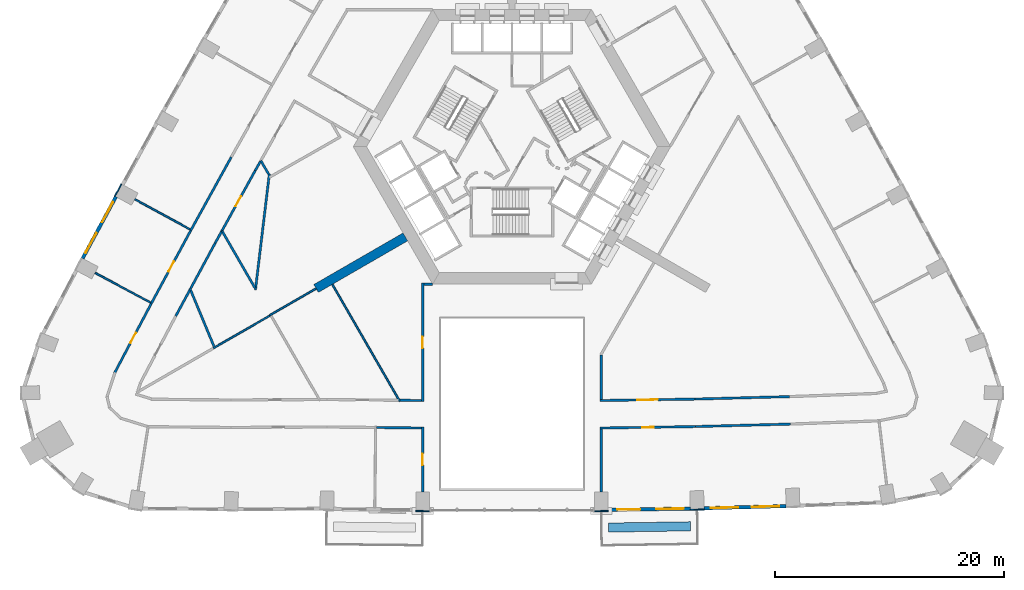
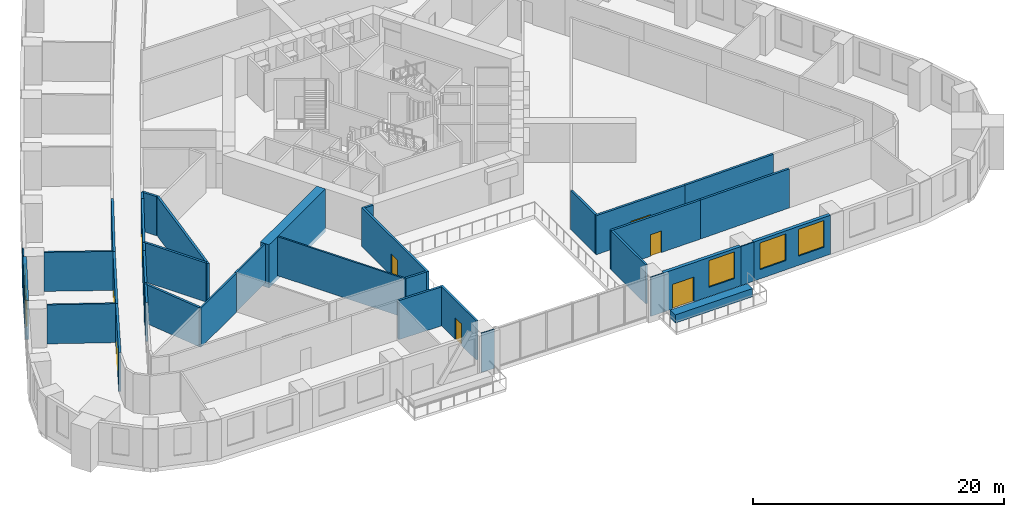
# One storey, part 5 of 14: 37 walls, 8 doors, 5 windows, 13 openings.
"""IFC4 building model written with IfcOpenShell, lengths in metres."""

from ifc_helpers import new_model, si_unit, direction, frame, frame_2d, origin, place, context, subcontext, project, spatial, rectangle, extrude, material, layer, layer_set, type_object, element, fill, save


model = new_model("IFC4")

# Units and contexts
model_context = context("Model", 3, precision=1e-05, world=origin(), true_north=direction((0.0, 1.0)))
body_context = subcontext(model_context, "Body", "Model", "MODEL_VIEW")
ifc_project = project(units=[si_unit("LENGTHUNIT", "METRE"), si_unit("AREAUNIT", "SQUARE_METRE"), si_unit("VOLUMEUNIT", "CUBIC_METRE"), si_unit("PLANEANGLEUNIT", "RADIAN"), si_unit("MASSUNIT", "GRAM", prefix="KILO")], contexts=[model_context])

# Site, building, storey
site_placement = place(None, origin())
site = spatial("IfcSite", under=ifc_project, at=site_placement, CompositionType="ELEMENT")
building_placement = place(site_placement, origin())
building = spatial("IfcBuilding", under=site, at=building_placement, Name="Entoto Arch Interchange Tower", CompositionType="ELEMENT")
storey_placement = place(building_placement, frame((0.0, 0.0, 64.39990234375)))
storey = spatial("IfcBuildingStorey", under=building, at=storey_placement, Name="L13", CompositionType="ELEMENT", Elevation=64.39990234375)

# Walls
ifc_material_1 = material(Name="Concrete C60/75", Category="concrete")
ifc_layer_1 = layer(ifc_material_1, 0.800048828125)
ifc_layer_set_1 = layer_set([ifc_layer_1], Name="Concrete C60/75")
wall_type_1 = type_object("IfcWallType", Name="Buttress wall 800 C60/75", PredefinedType="SHEAR", material=ifc_layer_set_1)
wall_1_placement = place(storey_placement, frame((-9.31005859375, -5.375, -0.39990234375), z_axis=(0.0, 0.0, 1.0), x_axis=(-0.866017533419, -0.500013631625, 0.0)))
element("IfcWall", 1, at=wall_1_placement, inside=storey, type_object=wall_type_1, Name="Buttress wall SW L13", PredefinedType="SHEAR", context=body_context, shape_type="SweptSolid", body=[
    extrude(rectangle(XDim=8.999755859375, YDim=0.800048828125, at=frame_2d((4.5, 0.0))), origin(), (0.0, 0.0, 1.0), 4.199951171875),
])
ifc_material_2 = material(Name="Gypsum board partition on steel studs", Category="steel")
ifc_layer_2 = layer(ifc_material_2, 0.14990234375)
ifc_layer_set_2 = layer_set([ifc_layer_2], Name="Gypsum board partition on steel studs")
wall_type_2 = type_object("IfcWallType", Name="PARTITION 150", PredefinedType="PARTITIONING", material=ifc_layer_set_2)
wall_2_placement = place(storey_placement, frame((-9.801025390625, -19.72412109375, 0.0), z_axis=(0.0, 0.0, 1.0), x_axis=(-0.500005867738, 0.866022016018, 0.0)))
element("IfcWall", 2, at=wall_2_placement, inside=storey, type_object=wall_type_2, Name="wall:L13:p128", PredefinedType="PARTITIONING", context=body_context, shape_type="SweptSolid", body=[
    extrude(rectangle(XDim=11.781494140625, YDim=0.14990234375, at=frame_2d((5.890625, 0.0))), origin(), (0.0, 0.0, 1.0), 3.800048828125),
])
wall_3_placement = place(storey_placement, frame((-17.10302734375, -9.8779296875, 0.0), z_axis=(0.0, 0.0, 1.0), x_axis=(-0.866013358989, -0.500020861617, 0.0)))
element("IfcWall", 3, at=wall_3_placement, inside=storey, type_object=wall_type_2, Name="wall:L13:p129", PredefinedType="PARTITIONING", context=body_context, shape_type="SweptSolid", body=[
    extrude(rectangle(XDim=4.674072265625, YDim=0.14990234375, at=frame_2d((2.3369140625, 0.0))), origin(), (0.0, 0.0, 1.0), 3.800048828125),
])
wall_4_placement = place(storey_placement, frame((-21.135009765625, -12.242919921875, 0.0), z_axis=(0.0, 0.0, 1.0), x_axis=(-0.866083439347, -0.499899465982, 0.0)))
element("IfcWall", 4, at=wall_4_placement, inside=storey, type_object=wall_type_2, Name="wall:L13:p131", PredefinedType="PARTITIONING", context=body_context, shape_type="SweptSolid", body=[
    extrude(rectangle(XDim=5.691162109375, YDim=0.14990234375, at=frame_2d((2.845703125, 0.0))), origin(), (0.0, 0.0, 1.0), 3.800048828125),
])
wall_5_placement = place(storey_placement, frame((-28.111083984375, -4.717041015625, 0.0), z_axis=(0.0, 0.0, 1.0), x_axis=(-0.877558297547, 0.479469951515, 0.0)))
element("IfcWall", 5, at=wall_5_placement, inside=storey, type_object=wall_type_2, Name="wall:L13:p147", PredefinedType="PARTITIONING", context=body_context, shape_type="SweptSolid", body=[
    extrude(rectangle(XDim=5.48095703125, YDim=0.14990234375, at=frame_2d((2.740478515625, 0.0))), origin(), (0.0, 0.0, 1.0), 3.800048828125),
])
wall_6_placement = place(storey_placement, frame((-31.56103515625, -11.10302734375, 0.0), z_axis=(0.0, 0.0, 1.0), x_axis=(-0.882056805494, 0.47114306944, 0.0)))
element("IfcWall", 6, at=wall_6_placement, inside=storey, type_object=wall_type_2, Name="wall:L13:p148", PredefinedType="PARTITIONING", context=body_context, shape_type="SweptSolid", body=[
    extrude(rectangle(XDim=5.48046875, YDim=0.14990234375, at=frame_2d((2.740234375, 0.0))), origin(), (0.0, 0.0, 1.0), 3.800048828125),
])

# Wall, opening, door
ifc_layer_3 = layer(ifc_material_2, 0.199951171875)
ifc_layer_set_3 = layer_set([ifc_layer_3], Name="Gypsum board partition on steel studs")
wall_type_3 = type_object("IfcWallType", Name="PARTITION 200", PredefinedType="PARTITIONING", material=ifc_layer_set_3)
wall_7_placement = place(storey_placement, frame((7.699951171875, -19.660888671875, 0.0), z_axis=(0.0, 0.0, 1.0), x_axis=(0.999882138464, 0.015352823245, 0.0)))
wall_7 = element("IfcWall", 7, at=wall_7_placement, inside=storey, type_object=wall_type_3, Name="wall:L13:p018", PredefinedType="PARTITIONING", context=body_context, shape_type="SweptSolid", body=[
    extrude(rectangle(XDim=8.26904296875, YDim=0.199951171875, at=frame_2d((4.134521484375, 0.0))), origin(), (0.0, 0.0, 1.0), 3.800048828125),
])
opening_1_placement = place(wall_7_placement, frame((3.235107421875, 0.0, 0.0)))
opening_1 = element("IfcOpeningElement", 8, at=opening_1_placement, cuts=wall_7, Name="Opening L13-D19", PredefinedType="OPENING", context=body_context, shape_type="SweptSolid", body=[
    extrude(rectangle(XDim=1.800048828125, YDim=2.10009765625, at=frame_2d((0.89990234375, 1.050048828125))), frame((0.0, 0.10986328125, 0.0), z_axis=(0.0, -1.0, 0.0), x_axis=(1.0, 0.0, 0.0)), (0.0, 0.0, 1.0), 0.219970703125),
])
ifc_material_3 = material(Name="Timber door leaf in Steel S235 frame", Category="steel")
door_type_1 = type_object("IfcDoorType", Name="DOOR DD-18 1800x2100", OperationType="DOUBLE_DOOR_SINGLE_SWING", PredefinedType="DOOR", material=ifc_material_3)
door_1_placement = place(opening_1_placement, origin())
door_1 = element("IfcDoor", 9, at=door_1_placement, inside=storey, type_object=door_type_1, Name="door:L13:19", OperationType="DOUBLE_DOOR_SINGLE_SWING", OverallHeight=2.10009765625, OverallWidth=1.800048828125, PredefinedType="DOOR", context=body_context, shape_type="SweptSolid", body=[
    extrude(rectangle(XDim=1.800048828125, YDim=2.10009765625, at=frame_2d((0.89990234375, 1.050048828125))), frame((0.0, 0.02490234375, 0.0), z_axis=(0.0, -1.0, 0.0), x_axis=(1.0, 0.0, 0.0)), (0.0, 0.0, 1.0), 0.050048828125),
])
fill(opening_1, door_1)

# Walls
wall_8_placement = place(storey_placement, frame((15.968017578125, -19.533935546875, 0.0), z_axis=(0.0, 0.0, 1.0), x_axis=(0.999659413518, 0.026097068146, 0.0)))
element("IfcWall", 10, at=wall_8_placement, inside=storey, type_object=wall_type_3, Name="wall:L13:p019", PredefinedType="PARTITIONING", context=body_context, shape_type="SweptSolid", body=[
    extrude(rectangle(XDim=8.27001953125, YDim=0.199951171875, at=frame_2d((4.135009765625, 0.0))), origin(), (0.0, 0.0, 1.0), 3.800048828125),
])
wall_9_placement = place(storey_placement, frame((-25.37109375, -4.927001953125, 0.0), z_axis=(0.0, 0.0, 1.0), x_axis=(-0.483899488004, -0.875123582993, 0.0)))
element("IfcWall", 11, at=wall_9_placement, inside=storey, type_object=wall_type_3, Name="wall:L13:p030", PredefinedType="PARTITIONING", context=body_context, shape_type="SweptSolid", body=[
    extrude(rectangle(XDim=1.130126953125, YDim=0.199951171875, at=frame_2d((0.56494140625, 0.0))), origin(), (0.0, 0.0, 1.0), 3.800048828125),
])
wall_10_placement = place(storey_placement, frame((-25.91796875, -5.916015625, 0.0), z_axis=(0.0, 0.0, 1.0), x_axis=(-0.4752384902, -0.879857021016, 0.0)))
element("IfcWall", 12, at=wall_10_placement, inside=storey, type_object=wall_type_3, Name="wall:L13:p031", PredefinedType="PARTITIONING", context=body_context, shape_type="SweptSolid", body=[
    extrude(rectangle(XDim=4.473388671875, YDim=0.199951171875, at=frame_2d((2.23681640625, 0.0))), origin(), (0.0, 0.0, 1.0), 3.800048828125),
])
wall_11_placement = place(storey_placement, frame((-9.77587890625, -19.637939453125, 0.0), z_axis=(0.0, 0.0, 1.0), x_axis=(0.999937374473, -0.011191386544, 0.0)))
element("IfcWall", 13, at=wall_11_placement, inside=storey, type_object=wall_type_3, Name="wall:L13:p032", PredefinedType="PARTITIONING", context=body_context, shape_type="SweptSolid", body=[
    extrude(rectangle(XDim=1.8759765625, YDim=0.199951171875, at=frame_2d((0.93798828125, 0.0))), origin(), (0.0, 0.0, 1.0), 3.800048828125),
])
wall_12_placement = place(storey_placement, frame((-21.97900390625, 1.196044921875, 0.0), z_axis=(0.0, 0.0, 1.0), x_axis=(-0.491617674369, -0.870811151886, 0.0)))
element("IfcWall", 14, at=wall_12_placement, inside=storey, type_object=wall_type_3, Name="wall:L13:p033", PredefinedType="PARTITIONING", context=body_context, shape_type="SweptSolid", body=[
    extrude(rectangle(XDim=0.89697265625, YDim=0.199951171875, at=frame_2d((0.448486328125, 0.0))), origin(), (0.0, 0.0, 1.0), 3.800048828125),
])

# Wall, opening, door
wall_13_placement = place(storey_placement, frame((-22.419921875, 0.4150390625, 0.0), z_axis=(0.0, 0.0, 1.0), x_axis=(-0.483559496818, -0.875311494861, 0.0)))
wall_13 = element("IfcWall", 15, at=wall_13_placement, inside=storey, type_object=wall_type_3, Name="wall:L13:p034", PredefinedType="PARTITIONING", context=body_context, shape_type="SweptSolid", body=[
    extrude(rectangle(XDim=6.10302734375, YDim=0.199951171875, at=frame_2d((3.051513671875, 0.0))), origin(), (0.0, 0.0, 1.0), 3.800048828125),
])
opening_2_placement = place(wall_13_placement, frame((2.552001953125, 0.0, 0.0)))
opening_2 = element("IfcOpeningElement", 16, at=opening_2_placement, cuts=wall_13, Name="Opening L13-D23", PredefinedType="OPENING", context=body_context, shape_type="SweptSolid", body=[
    extrude(rectangle(XDim=1.0, YDim=2.10009765625, at=frame_2d((0.5, 1.050048828125))), frame((0.0, 0.10986328125, 0.0), z_axis=(0.0, -1.0, 0.0), x_axis=(1.0, 0.0, 0.0)), (0.0, 0.0, 1.0), 0.219970703125),
])
door_type_2 = type_object("IfcDoorType", Name="DOOR DS-10 1000x2100", OperationType="SINGLE_SWING_LEFT", PredefinedType="DOOR", material=ifc_material_3)
door_2_placement = place(opening_2_placement, origin())
door_2 = element("IfcDoor", 17, at=door_2_placement, inside=storey, type_object=door_type_2, Name="door:L13:23", OperationType="SINGLE_SWING_LEFT", OverallHeight=2.10009765625, OverallWidth=1.0, PredefinedType="DOOR", context=body_context, shape_type="SweptSolid", body=[
    extrude(rectangle(XDim=1.0, YDim=2.10009765625, at=frame_2d((0.5, 1.050048828125))), frame((0.0, 0.02490234375, 0.0), z_axis=(0.0, -1.0, 0.0), x_axis=(1.0, 0.0, 0.0)), (0.0, 0.0, 1.0), 0.050048828125),
])
fill(opening_2, door_2)

# Walls
wall_14_placement = place(storey_placement, frame((-28.138916015625, -10.028076171875, 0.0), z_axis=(0.0, 0.0, 1.0), x_axis=(-0.475287687013, -0.879830446491, 0.0)))
element("IfcWall", 18, at=wall_14_placement, inside=storey, type_object=wall_type_3, Name="wall:L13:p037", PredefinedType="PARTITIONING", context=body_context, shape_type="SweptSolid", body=[
    extrude(rectangle(XDim=2.560546875, YDim=0.199951171875, at=frame_2d((1.2802734375, 0.0))), origin(), (0.0, 0.0, 1.0), 3.800048828125),
])
wall_15_placement = place(storey_placement, frame((24.31005859375, -21.716064453125, 0.0), z_axis=(0.0, 0.0, 1.0), x_axis=(-0.999657616542, -0.02616581148, 0.0)))
element("IfcWall", 19, at=wall_15_placement, inside=storey, type_object=wall_type_3, Name="wall:L13:p044", PredefinedType="PARTITIONING", context=body_context, shape_type="SweptSolid", body=[
    extrude(rectangle(XDim=8.294921875, YDim=0.199951171875, at=frame_2d((4.1474609375, 0.0))), origin(), (0.0, 0.0, 1.0), 3.800048828125),
])

# Wall, opening, door
wall_16_placement = place(storey_placement, frame((16.01806640625, -21.93310546875, 0.0), z_axis=(0.0, 0.0, 1.0), x_axis=(-0.999879942341, -0.015495189738, 0.0)))
wall_16 = element("IfcWall", 20, at=wall_16_placement, inside=storey, type_object=wall_type_3, Name="wall:L13:p045", PredefinedType="PARTITIONING", context=body_context, shape_type="SweptSolid", body=[
    extrude(rectangle(XDim=8.319091796875, YDim=0.199951171875, at=frame_2d((4.15966796875, 0.0))), origin(), (0.0, 0.0, 1.0), 3.800048828125),
])
opening_3_placement = place(wall_16_placement, frame((3.659912109375, 0.0, 0.0)))
opening_3 = element("IfcOpeningElement", 21, at=opening_3_placement, cuts=wall_16, Name="Opening L13-D01", PredefinedType="OPENING", context=body_context, shape_type="SweptSolid", body=[
    extrude(rectangle(XDim=1.0, YDim=2.10009765625, at=frame_2d((0.5, 1.050048828125))), frame((0.0, 0.10986328125, 0.0), z_axis=(0.0, -1.0, 0.0), x_axis=(1.0, 0.0, 0.0)), (0.0, 0.0, 1.0), 0.219970703125),
])
door_3_placement = place(opening_3_placement, origin())
door_3 = element("IfcDoor", 22, at=door_3_placement, inside=storey, type_object=door_type_2, Name="door:L13:01", OperationType="SINGLE_SWING_LEFT", OverallHeight=2.10009765625, OverallWidth=1.0, PredefinedType="DOOR", context=body_context, shape_type="SweptSolid", body=[
    extrude(rectangle(XDim=1.0, YDim=2.10009765625, at=frame_2d((0.5, 1.050048828125))), frame((0.0, 0.02490234375, 0.0), z_axis=(0.0, -1.0, 0.0), x_axis=(1.0, 0.0, 0.0)), (0.0, 0.0, 1.0), 0.050048828125),
])
fill(opening_3, door_3)

# Wall
wall_17_placement = place(storey_placement, frame((-28.06005859375, -4.8310546875, 0.0), z_axis=(0.0, 0.0, 1.0), x_axis=(0.483631054848, 0.875271959328, 0.0)))
element("IfcWall", 23, at=wall_17_placement, inside=storey, type_object=wall_type_3, Name="wall:L13:p071", PredefinedType="PARTITIONING", context=body_context, shape_type="SweptSolid", body=[
    extrude(rectangle(XDim=7.330322265625, YDim=0.199951171875, at=frame_2d((3.6650390625, 0.0))), origin(), (0.0, 0.0, 1.0), 3.800048828125),
])

# Wall, opening, door
wall_18_placement = place(storey_placement, frame((-31.509033203125, -11.216064453125, 0.0), z_axis=(0.0, 0.0, 1.0), x_axis=(0.475367159168, 0.879787510701, 0.0)))
wall_18 = element("IfcWall", 24, at=wall_18_placement, inside=storey, type_object=wall_type_3, Name="wall:L13:p073", PredefinedType="PARTITIONING", context=body_context, shape_type="SweptSolid", body=[
    extrude(rectangle(XDim=7.25732421875, YDim=0.199951171875, at=frame_2d((3.628662109375, 0.0))), origin(), (0.0, 0.0, 1.0), 3.800048828125),
])
opening_4_placement = place(wall_18_placement, frame((3.202880859375, 0.0, 0.0)))
opening_4 = element("IfcOpeningElement", 25, at=opening_4_placement, cuts=wall_18, Name="Opening L13-D15", PredefinedType="OPENING", context=body_context, shape_type="SweptSolid", body=[
    extrude(rectangle(XDim=1.0, YDim=2.10009765625, at=frame_2d((0.5, 1.050048828125))), frame((0.0, 0.10986328125, 0.0), z_axis=(0.0, -1.0, 0.0), x_axis=(1.0, 0.0, 0.0)), (0.0, 0.0, 1.0), 0.219970703125),
])
door_4_placement = place(opening_4_placement, origin())
door_4 = element("IfcDoor", 26, at=door_4_placement, inside=storey, type_object=door_type_2, Name="door:L13:15", OperationType="SINGLE_SWING_RIGHT", OverallHeight=2.10009765625, OverallWidth=1.0, PredefinedType="DOOR", context=body_context, shape_type="SweptSolid", body=[
    extrude(rectangle(XDim=1.0, YDim=2.10009765625, at=frame_2d((0.5, 1.050048828125))), frame((0.0, 0.02490234375, 0.0), z_axis=(0.0, -1.0, 0.0), x_axis=(1.0, 0.0, 0.0)), (0.0, 0.0, 1.0), 0.050048828125),
])
fill(opening_4, door_4)

wall_19_placement = place(storey_placement, frame((-34.69189453125, -17.242919921875, 0.0), z_axis=(0.0, 0.0, 1.0), x_axis=(0.467102540817, 0.884203153332, 0.0)))
wall_19 = element("IfcWall", 27, at=wall_19_placement, inside=storey, type_object=wall_type_3, Name="wall:L13:p078", PredefinedType="PARTITIONING", context=body_context, shape_type="SweptSolid", body=[
    extrude(rectangle(XDim=6.816162109375, YDim=0.199951171875, at=frame_2d((3.408203125, 0.0))), origin(), (0.0, 0.0, 1.0), 3.800048828125),
])
opening_5_placement = place(wall_19_placement, frame((2.946044921875, 0.0, 0.0)))
opening_5 = element("IfcOpeningElement", 28, at=opening_5_placement, cuts=wall_19, Name="Opening L13-D16", PredefinedType="OPENING", context=body_context, shape_type="SweptSolid", body=[
    extrude(rectangle(XDim=1.0, YDim=2.10009765625, at=frame_2d((0.5, 1.050048828125))), frame((0.0, 0.10986328125, 0.0), z_axis=(0.0, -1.0, 0.0), x_axis=(1.0, 0.0, 0.0)), (0.0, 0.0, 1.0), 0.219970703125),
])
door_5_placement = place(opening_5_placement, origin())
door_5 = element("IfcDoor", 29, at=door_5_placement, inside=storey, type_object=door_type_2, Name="door:L13:16", OperationType="SINGLE_SWING_LEFT", OverallHeight=2.10009765625, OverallWidth=1.0, PredefinedType="DOOR", context=body_context, shape_type="SweptSolid", body=[
    extrude(rectangle(XDim=1.0, YDim=2.10009765625, at=frame_2d((0.5, 1.050048828125))), frame((0.0, 0.02490234375, 0.0), z_axis=(0.0, -1.0, 0.0), x_axis=(1.0, 0.0, 0.0)), (0.0, 0.0, 1.0), 0.050048828125),
])
fill(opening_5, door_5)

# Walls
wall_20_placement = place(storey_placement, frame((-7.89990234375, -22.05908203125, 0.0), z_axis=(0.0, 0.0, 1.0), x_axis=(-0.999940210022, 0.010935098606, 0.0)))
element("IfcWall", 30, at=wall_20_placement, inside=storey, type_object=wall_type_3, Name="wall:L13:p082", PredefinedType="PARTITIONING", context=body_context, shape_type="SweptSolid", body=[
    extrude(rectangle(XDim=3.929443359375, YDim=0.199951171875, at=frame_2d((1.96484375, 0.0))), origin(), (0.0, 0.0, 1.0), 3.800048828125),
])
wall_21_placement = place(storey_placement, frame((7.800048828125, -15.68994140625, 0.0), z_axis=(0.0, 0.0, 1.0), x_axis=(0.0, -1.0, 0.0)))
element("IfcWall", 31, at=wall_21_placement, inside=storey, type_object=wall_type_3, Name="wall:L13:p116", PredefinedType="PARTITIONING", context=body_context, shape_type="SweptSolid", body=[
    extrude(rectangle(XDim=3.8701171875, YDim=0.199951171875, at=frame_2d((1.93505859375, 0.0))), origin(), (0.0, 0.0, 1.0), 3.800048828125),
])

# Wall, opening, door
wall_22_placement = place(storey_placement, frame((-7.800048828125, -19.760009765625, 0.0), z_axis=(0.0, 0.0, 1.0), x_axis=(0.0, 1.0, 0.0)))
wall_22 = element("IfcWall", 32, at=wall_22_placement, inside=storey, type_object=wall_type_3, Name="wall:L13:p117", PredefinedType="PARTITIONING", context=body_context, shape_type="SweptSolid", body=[
    extrude(rectangle(XDim=10.361083984375, YDim=0.199951171875, at=frame_2d((5.1806640625, 0.0))), origin(), (0.0, 0.0, 1.0), 3.800048828125),
])
opening_6_placement = place(wall_22_placement, frame((4.680908203125, 0.0, 0.0)))
opening_6 = element("IfcOpeningElement", 33, at=opening_6_placement, cuts=wall_22, Name="Opening L13-D22", PredefinedType="OPENING", context=body_context, shape_type="SweptSolid", body=[
    extrude(rectangle(XDim=1.0, YDim=2.10009765625, at=frame_2d((0.5, 1.050048828125))), frame((0.0, 0.10986328125, 0.0), z_axis=(0.0, -1.0, 0.0), x_axis=(1.0, 0.0, 0.0)), (0.0, 0.0, 1.0), 0.219970703125),
])
door_6_placement = place(opening_6_placement, origin())
door_6 = element("IfcDoor", 34, at=door_6_placement, inside=storey, type_object=door_type_2, Name="door:L13:22", OperationType="SINGLE_SWING_LEFT", OverallHeight=2.10009765625, OverallWidth=1.0, PredefinedType="DOOR", context=body_context, shape_type="SweptSolid", body=[
    extrude(rectangle(XDim=1.0, YDim=2.10009765625, at=frame_2d((0.5, 1.050048828125))), frame((0.0, 0.02490234375, 0.0), z_axis=(0.0, -1.0, 0.0), x_axis=(1.0, 0.0, 0.0)), (0.0, 0.0, 1.0), 0.050048828125),
])
fill(opening_6, door_6)

# Walls
wall_23_placement = place(storey_placement, frame((-7.699951171875, -9.4990234375, 0.0), z_axis=(0.0, 0.0, 1.0), x_axis=(1.0, 0.0, 0.0)))
element("IfcWall", 35, at=wall_23_placement, inside=storey, type_object=wall_type_3, Name="wall:L13:p118", PredefinedType="PARTITIONING", context=body_context, shape_type="SweptSolid", body=[
    extrude(rectangle(XDim=0.77099609375, YDim=0.199951171875, at=frame_2d((0.385498046875, 0.0))), origin(), (0.0, 0.0, 1.0), 3.800048828125),
])
wall_24_placement = place(storey_placement, frame((7.800048828125, -22.159912109375, 0.0), z_axis=(0.0, 0.0, 1.0), x_axis=(0.0, -1.0, 0.0)))
element("IfcWall", 36, at=wall_24_placement, inside=storey, type_object=wall_type_3, Name="wall:L13:p119", PredefinedType="PARTITIONING", context=body_context, shape_type="SweptSolid", body=[
    extrude(rectangle(XDim=5.481201171875, YDim=0.199951171875, at=frame_2d((2.74072265625, 0.0))), origin(), (0.0, 0.0, 1.0), 3.800048828125),
])

# Wall, opening, door
wall_25_placement = place(storey_placement, frame((-7.800048828125, -27.64111328125, 0.0), z_axis=(0.0, 0.0, 1.0), x_axis=(0.0, 1.0, 0.0)))
wall_25 = element("IfcWall", 37, at=wall_25_placement, inside=storey, type_object=wall_type_3, Name="wall:L13:p120", PredefinedType="PARTITIONING", context=body_context, shape_type="SweptSolid", body=[
    extrude(rectangle(XDim=5.68115234375, YDim=0.199951171875, at=frame_2d((2.840576171875, 0.0))), origin(), (0.0, 0.0, 1.0), 3.800048828125),
])
opening_7_placement = place(wall_25_placement, frame((2.340087890625, 0.0, 0.0)))
opening_7 = element("IfcOpeningElement", 38, at=opening_7_placement, cuts=wall_25, Name="Opening L13-D18", PredefinedType="OPENING", context=body_context, shape_type="SweptSolid", body=[
    extrude(rectangle(XDim=1.0, YDim=2.10009765625, at=frame_2d((0.5, 1.050048828125))), frame((0.0, 0.10986328125, 0.0), z_axis=(0.0, -1.0, 0.0), x_axis=(1.0, 0.0, 0.0)), (0.0, 0.0, 1.0), 0.219970703125),
])
door_7_placement = place(opening_7_placement, origin())
door_7 = element("IfcDoor", 39, at=door_7_placement, inside=storey, type_object=door_type_2, Name="door:L13:18", OperationType="SINGLE_SWING_LEFT", OverallHeight=2.10009765625, OverallWidth=1.0, PredefinedType="DOOR", context=body_context, shape_type="SweptSolid", body=[
    extrude(rectangle(XDim=1.0, YDim=2.10009765625, at=frame_2d((0.5, 1.050048828125))), frame((0.0, 0.02490234375, 0.0), z_axis=(0.0, -1.0, 0.0), x_axis=(1.0, 0.0, 0.0)), (0.0, 0.0, 1.0), 0.050048828125),
])
fill(opening_7, door_7)

# Walls
wall_26_placement = place(storey_placement, frame((-21.2490234375, 0.10498046875, 0.0), z_axis=(0.0, 0.0, 1.0), x_axis=(-0.500442009317, 0.865770059144, 0.0)))
element("IfcWall", 40, at=wall_26_placement, inside=storey, type_object=wall_type_3, Name="wall:L13:p125", PredefinedType="PARTITIONING", context=body_context, shape_type="SweptSolid", body=[
    extrude(rectangle(XDim=1.360595703125, YDim=0.199951171875, at=frame_2d((0.68017578125, 0.0))), origin(), (0.0, 0.0, 1.0), 3.800048828125),
])
wall_27_placement = place(storey_placement, frame((-25.322998046875, -4.840087890625, 0.0), z_axis=(0.0, 0.0, 1.0), x_axis=(0.500070797646, -0.865984524886, 0.0)))
element("IfcWall", 41, at=wall_27_placement, inside=storey, type_object=wall_type_3, Name="wall:L13:p126", PredefinedType="PARTITIONING", context=body_context, shape_type="SweptSolid", body=[
    extrude(rectangle(XDim=5.763427734375, YDim=0.199951171875, at=frame_2d((2.8818359375, 0.0))), origin(), (0.0, 0.0, 1.0), 3.800048828125),
])
wall_28_placement = place(storey_placement, frame((-22.403076171875, -10.01708984375, 0.0), z_axis=(0.0, 0.0, 1.0), x_axis=(0.119143334217, 0.992877064853, 0.0)))
element("IfcWall", 42, at=wall_28_placement, inside=storey, type_object=wall_type_3, Name="wall:L13:p127", PredefinedType="PARTITIONING", context=body_context, shape_type="SweptSolid", body=[
    extrude(rectangle(XDim=10.206787109375, YDim=0.199951171875, at=frame_2d((5.103515625, 0.0))), origin(), (0.0, 0.0, 1.0), 3.800048828125),
])
wall_29_placement = place(storey_placement, frame((-26.014892578125, -14.946044921875, 0.0), z_axis=(0.0, 0.0, 1.0), x_axis=(-0.383189005855, 0.923669955012, 0.0)))
element("IfcWall", 43, at=wall_29_placement, inside=storey, type_object=wall_type_3, Name="wall:L13:p130", PredefinedType="PARTITIONING", context=body_context, shape_type="SweptSolid", body=[
    extrude(rectangle(XDim=5.51953125, YDim=0.199951171875, at=frame_2d((2.759765625, 0.0))), origin(), (0.0, 0.0, 1.0), 3.800048828125),
])
ifc_material_4 = material(Name="Board-marked precast concrete C50/60", Category="concrete")
ifc_layer_4 = layer(ifc_material_4, 0.800048828125)
ifc_layer_set_4 = layer_set([ifc_layer_4], Name="Board-marked precast concrete C50/60")
wall_type_4 = type_object("IfcWallType", Name="PLANTER RC 800 Juniperus procera", PredefinedType="STANDARD", material=ifc_layer_set_4)
wall_30_placement = place(storey_placement, frame((8.422119140625, -30.751953125, 0.0), z_axis=(0.0, 0.0, 1.0), x_axis=(0.999880531026, 0.015457156125, 0.0)))
element("IfcWall", 44, at=wall_30_placement, inside=storey, type_object=wall_type_4, Name="Planter S-05 L13", PredefinedType="STANDARD", context=body_context, shape_type="SweptSolid", body=[
    extrude(rectangle(XDim=7.1708984375, YDim=0.800048828125, at=frame_2d((3.58544921875, 0.0))), origin(), (0.0, 0.0, 1.0), 0.800048828125),
])

# Wall, openings, door, window
ifc_material_5 = material(Name="Welded tuff (ignimbrite) cladding, warm buff", Category="masonry")
ifc_layer_5 = layer(ifc_material_5, 0.300048828125)
ifc_layer_set_5 = layer_set([ifc_layer_5], Name="Welded tuff (ignimbrite) cladding, warm buff")
wall_type_5 = type_object("IfcWallType", Name="STONE INFILL WALL 300", PredefinedType="STANDARD", material=ifc_layer_set_5)
wall_31_placement = place(storey_placement, frame((8.39794921875, -29.201904296875, 0.0), z_axis=(0.0, 0.0, 1.0), x_axis=(0.99988053916, 0.015456629942, 0.0)))
wall_31 = element("IfcWall", 45, at=wall_31_placement, inside=storey, type_object=wall_type_5, Name="Facade wall S-05 L13", PredefinedType="STANDARD", context=body_context, shape_type="SweptSolid", body=[
    extrude(rectangle(XDim=7.171142578125, YDim=0.300048828125, at=frame_2d((3.58544921875, 0.0))), origin(), (0.0, 0.0, 1.0), 3.800048828125),
])
opening_8_placement = place(wall_31_placement, frame((0.79296875, 0.0, 0.0)))
opening_8 = element("IfcOpeningElement", 46, at=opening_8_placement, cuts=wall_31, Name="Opening DB-S-05-L13", PredefinedType="OPENING", context=body_context, shape_type="SweptSolid", body=[
    extrude(rectangle(XDim=2.0, YDim=2.39990234375, at=frame_2d((1.0, 1.199951171875))), frame((0.0, 0.16015625, 0.0), z_axis=(0.0, -1.0, 0.0), x_axis=(1.0, 0.0, 0.0)), (0.0, 0.0, 1.0), 0.320068359375),
])
opening_9_placement = place(wall_31_placement, frame((4.177978515625, 0.0, 0.89990234375)))
opening_9 = element("IfcOpeningElement", 47, at=opening_9_placement, cuts=wall_31, Name="Opening WO-A", PredefinedType="OPENING", context=body_context, shape_type="SweptSolid", body=[
    extrude(rectangle(XDim=2.39990234375, YDim=2.60009765625, at=frame_2d((1.199951171875, 1.300048828125))), frame((0.0, 0.16015625, 0.0), z_axis=(0.0, -1.0, 0.0), x_axis=(1.0, 0.0, 0.0)), (0.0, 0.0, 1.0), 0.320068359375),
])
ifc_material_6 = material(Name="Aluminium and clear glass, anodised", Category="aluminium")
door_type_3 = type_object("IfcDoorType", Name="BALCONY DOOR DB 2000x2400", OperationType="SLIDING_TO_LEFT", PredefinedType="DOOR", material=ifc_material_6)
door_8_placement = place(opening_8_placement, origin())
door_8 = element("IfcDoor", 48, at=door_8_placement, inside=storey, type_object=door_type_3, Name="Balcony door S-05 L13", OperationType="SLIDING_TO_LEFT", OverallHeight=2.39990234375, OverallWidth=2.0, PredefinedType="DOOR", context=body_context, shape_type="SweptSolid", body=[
    extrude(rectangle(XDim=2.0, YDim=2.39990234375, at=frame_2d((1.0, 1.199951171875))), frame((0.0, 0.02490234375, 0.0), z_axis=(0.0, -1.0, 0.0), x_axis=(1.0, 0.0, 0.0)), (0.0, 0.0, 1.0), 0.050048828125),
])
fill(opening_8, door_8)
ifc_material_7 = material(Name="Clear glass, low-e double glazed", Category="glass")
window_type_1 = type_object("IfcWindowType", Name="WINDOW WO-A 2400x2600", PartitioningType="DOUBLE_PANEL_VERTICAL", PredefinedType="WINDOW", material=ifc_material_7)
window_1_placement = place(opening_9_placement, origin())
window_1 = element("IfcWindow", 49, at=window_1_placement, inside=storey, type_object=window_type_1, Name="Window WO-A S-05 L13", OverallHeight=2.60009765625, OverallWidth=2.39990234375, PartitioningType="SINGLE_PANEL", PredefinedType="WINDOW", context=body_context, shape_type="SweptSolid", body=[
    extrude(rectangle(XDim=2.39990234375, YDim=2.60009765625, at=frame_2d((1.199951171875, 1.300048828125))), frame((0.0, 0.030029296875, 0.0), z_axis=(0.0, -1.0, 0.0), x_axis=(1.0, 0.0, 0.0)), (0.0, 0.0, 1.0), 0.06005859375),
])
fill(opening_9, window_1)

# Wall, openings, windows
wall_32_placement = place(storey_placement, frame((16.764892578125, -29.06591796875, 0.0), z_axis=(0.0, 0.0, 1.0), x_axis=(0.999660132619, 0.026069508106, 0.0)))
wall_32 = element("IfcWall", 50, at=wall_32_placement, inside=storey, type_object=wall_type_5, Name="Facade wall S-06 L13", PredefinedType="STANDARD", context=body_context, shape_type="SweptSolid", body=[
    extrude(rectangle(XDim=7.173583984375, YDim=0.300048828125, at=frame_2d((3.5869140625, 0.0))), origin(), (0.0, 0.0, 1.0), 3.800048828125),
])
opening_10_placement = place(wall_32_placement, frame((0.593017578125, 0.0, 0.89990234375)))
opening_10 = element("IfcOpeningElement", 51, at=opening_10_placement, cuts=wall_32, Name="Opening WO-A", PredefinedType="OPENING", context=body_context, shape_type="SweptSolid", body=[
    extrude(rectangle(XDim=2.39990234375, YDim=2.60009765625, at=frame_2d((1.199951171875, 1.300048828125))), frame((0.0, 0.16015625, 0.0), z_axis=(0.0, -1.0, 0.0), x_axis=(1.0, 0.0, 0.0)), (0.0, 0.0, 1.0), 0.320068359375),
])
opening_11_placement = place(wall_32_placement, frame((4.179931640625, 0.0, 0.89990234375)))
opening_11 = element("IfcOpeningElement", 52, at=opening_11_placement, cuts=wall_32, Name="Opening WO-A", PredefinedType="OPENING", context=body_context, shape_type="SweptSolid", body=[
    extrude(rectangle(XDim=2.39990234375, YDim=2.60009765625, at=frame_2d((1.199951171875, 1.300048828125))), frame((0.0, 0.16015625, 0.0), z_axis=(0.0, -1.0, 0.0), x_axis=(1.0, 0.0, 0.0)), (0.0, 0.0, 1.0), 0.320068359375),
])
window_2_placement = place(opening_10_placement, origin())
window_2 = element("IfcWindow", 53, at=window_2_placement, inside=storey, type_object=window_type_1, Name="Window WO-A S-06 L13", OverallHeight=2.60009765625, OverallWidth=2.39990234375, PartitioningType="SINGLE_PANEL", PredefinedType="WINDOW", context=body_context, shape_type="SweptSolid", body=[
    extrude(rectangle(XDim=2.39990234375, YDim=2.60009765625, at=frame_2d((1.199951171875, 1.300048828125))), frame((0.0, 0.030029296875, 0.0), z_axis=(0.0, -1.0, 0.0), x_axis=(1.0, 0.0, 0.0)), (0.0, 0.0, 1.0), 0.06005859375),
])
fill(opening_10, window_2)
window_3_placement = place(opening_11_placement, origin())
window_3 = element("IfcWindow", 54, at=window_3_placement, inside=storey, type_object=window_type_1, Name="Window WO-A S-06 L13", OverallHeight=2.60009765625, OverallWidth=2.39990234375, PartitioningType="SINGLE_PANEL", PredefinedType="WINDOW", context=body_context, shape_type="SweptSolid", body=[
    extrude(rectangle(XDim=2.39990234375, YDim=2.60009765625, at=frame_2d((1.199951171875, 1.300048828125))), frame((0.0, 0.030029296875, 0.0), z_axis=(0.0, -1.0, 0.0), x_axis=(1.0, 0.0, 0.0)), (0.0, 0.0, 1.0), 0.06005859375),
])
fill(opening_11, window_3)

wall_33_placement = place(storey_placement, frame((-34.5830078125, -1.864013671875, 0.0), z_axis=(0.0, 0.0, 1.0), x_axis=(-0.475413659872, -0.879762383833, 0.0)))
wall_33 = element("IfcWall", 55, at=wall_33_placement, inside=storey, type_object=wall_type_5, Name="Facade wall NW-08 L13", PredefinedType="STANDARD", context=body_context, shape_type="SweptSolid", body=[
    extrude(rectangle(XDim=6.12548828125, YDim=0.300048828125, at=frame_2d((3.062744140625, 0.0))), origin(), (0.0, 0.0, 1.0), 3.800048828125),
])
opening_12_placement = place(wall_33_placement, frame((0.531005859375, 0.0, 0.89990234375)))
opening_12 = element("IfcOpeningElement", 56, at=opening_12_placement, cuts=wall_33, Name="Opening WO-C", PredefinedType="OPENING", context=body_context, shape_type="SweptSolid", body=[
    extrude(rectangle(XDim=2.0, YDim=2.60009765625, at=frame_2d((1.0, 1.300048828125))), frame((0.0, 0.16015625, 0.0), z_axis=(0.0, -1.0, 0.0), x_axis=(1.0, 0.0, 0.0)), (0.0, 0.0, 1.0), 0.320068359375),
])
opening_13_placement = place(wall_33_placement, frame((3.593994140625, 0.0, 0.89990234375)))
opening_13 = element("IfcOpeningElement", 57, at=opening_13_placement, cuts=wall_33, Name="Opening WO-C", PredefinedType="OPENING", context=body_context, shape_type="SweptSolid", body=[
    extrude(rectangle(XDim=2.0, YDim=2.60009765625, at=frame_2d((1.0, 1.300048828125))), frame((0.0, 0.16015625, 0.0), z_axis=(0.0, -1.0, 0.0), x_axis=(1.0, 0.0, 0.0)), (0.0, 0.0, 1.0), 0.320068359375),
])
window_type_2 = type_object("IfcWindowType", Name="WINDOW WO-C 2000x2600", PartitioningType="DOUBLE_PANEL_VERTICAL", PredefinedType="WINDOW", material=ifc_material_7)
window_4_placement = place(opening_12_placement, origin())
window_4 = element("IfcWindow", 58, at=window_4_placement, inside=storey, type_object=window_type_2, Name="Window WO-C NW-08 L13", OverallHeight=2.60009765625, OverallWidth=2.0, PartitioningType="SINGLE_PANEL", PredefinedType="WINDOW", context=body_context, shape_type="SweptSolid", body=[
    extrude(rectangle(XDim=2.0, YDim=2.60009765625, at=frame_2d((1.0, 1.300048828125))), frame((0.0, 0.030029296875, 0.0), z_axis=(0.0, -1.0, 0.0), x_axis=(1.0, 0.0, 0.0)), (0.0, 0.0, 1.0), 0.06005859375),
])
fill(opening_12, window_4)
window_5_placement = place(opening_13_placement, origin())
window_5 = element("IfcWindow", 59, at=window_5_placement, inside=storey, type_object=window_type_2, Name="Window WO-C NW-08 L13", OverallHeight=2.60009765625, OverallWidth=2.0, PartitioningType="SINGLE_PANEL", PredefinedType="WINDOW", context=body_context, shape_type="SweptSolid", body=[
    extrude(rectangle(XDim=2.0, YDim=2.60009765625, at=frame_2d((1.0, 1.300048828125))), frame((0.0, 0.030029296875, 0.0), z_axis=(0.0, -1.0, 0.0), x_axis=(1.0, 0.0, 0.0)), (0.0, 0.0, 1.0), 0.06005859375),
])
fill(opening_13, window_5)

# Walls
ifc_layer_6 = layer(ifc_material_5, 0.10009765625)
ifc_layer_set_6 = layer_set([ifc_layer_6], Name="Welded tuff (ignimbrite) cladding, warm buff")
wall_type_6 = type_object("IfcWallType", Name="STONE PIER CLADDING 100", PredefinedType="STANDARD", material=ifc_layer_set_6)
wall_34_placement = place(storey_placement, frame((-34.09912109375, -0.761962890625, 0.0), z_axis=(0.0, 0.0, 1.0), x_axis=(-0.478267644701, -0.878214131082, 0.0)))
element("IfcWall", 60, at=wall_34_placement, inside=storey, type_object=wall_type_6, Name="Stone pier NW08 L13", PredefinedType="STANDARD", context=body_context, shape_type="SweptSolid", body=[
    extrude(rectangle(XDim=1.2001953125, YDim=0.10009765625, at=frame_2d((0.60009765625, 0.0))), origin(), (0.0, 0.0, 1.0), 3.800048828125),
])
for number, where, z_axis, x_axis, name in (
    (61, (-8.39990234375, -29.305908203125, 0.0), (0.0, 0.0, 1.0), (0.999965208912, -0.008341520563, 0.0), "Stone pier S04 L13"),
    (62, (7.199951171875, -29.31591796875, 0.0), (0.0, 0.0, 1.0), (0.999965208912, 0.008341520563, 0.0), "Stone pier S05 L13"),
):
    element("IfcWall", number, at=place(storey_placement, frame(where, z_axis=z_axis, x_axis=x_axis)), inside=storey, type_object=wall_type_6, Name=name, PredefinedType="STANDARD", context=body_context, shape_type="SweptSolid", body=[
        extrude(rectangle(XDim=1.199951171875, YDim=0.10009765625, at=frame_2d((0.60009765625, 0.0))), origin(), (0.0, 0.0, 1.0), 3.800048828125),
    ])
wall_35_placement = place(storey_placement, frame((15.569091796875, -29.195068359375, 0.0), z_axis=(0.0, 0.0, 1.0), x_axis=(0.999763115755, 0.021764934565, 0.0)))
element("IfcWall", 63, at=wall_35_placement, inside=storey, type_object=wall_type_6, Name="Stone pier S06 L13", PredefinedType="STANDARD", context=body_context, shape_type="SweptSolid", body=[
    extrude(rectangle(XDim=1.2001953125, YDim=0.10009765625, at=frame_2d((0.60009765625, 0.0))), origin(), (0.0, 0.0, 1.0), 3.800048828125),
])

save(model, "model.ifc")
